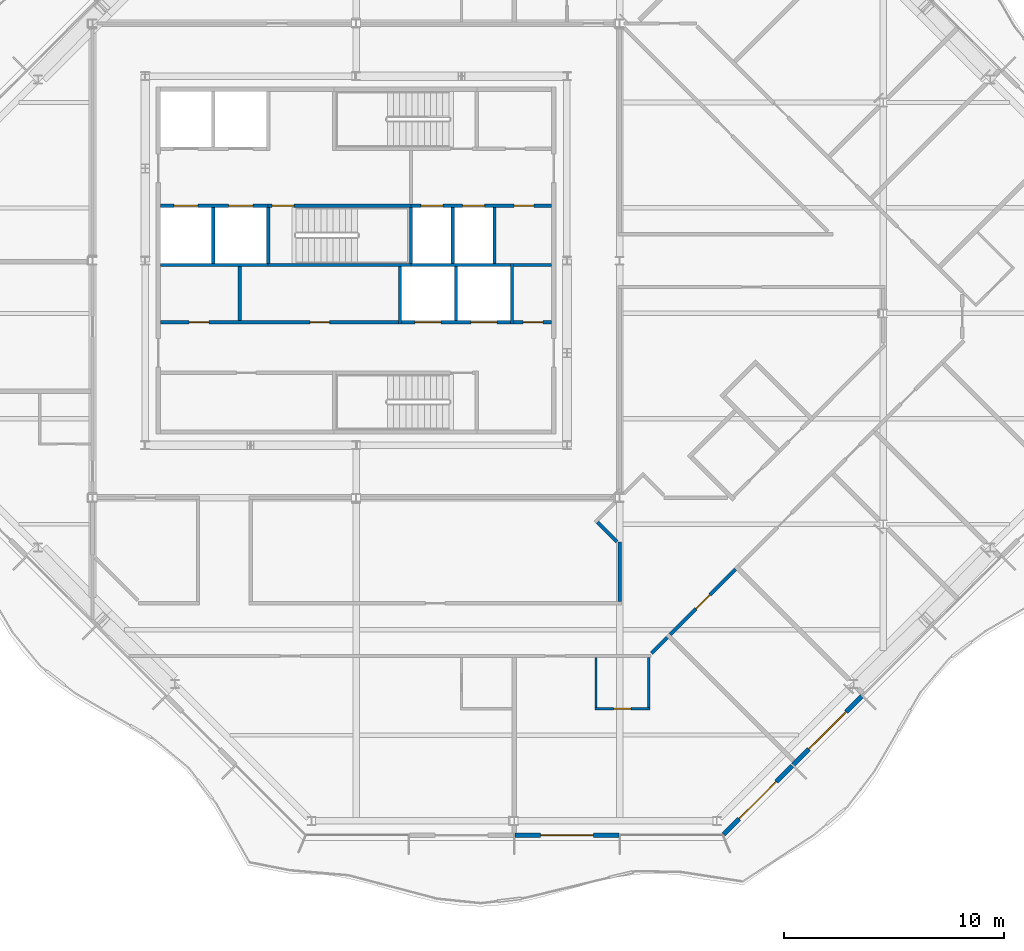
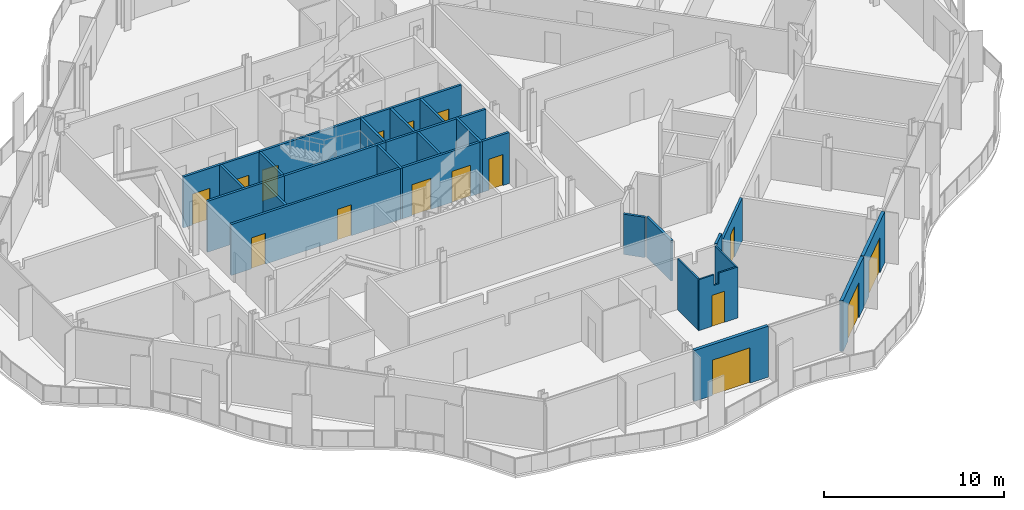
# One storey, part 8 of 17: 29 walls, 16 doors, 16 openings.
"""IFC4 building model written with IfcOpenShell, lengths in metres."""

import ifcopenshell
import ifcopenshell.guid

model = None  # the IFC model being written
_history = None  # IfcOwnerHistory: only IFC2X3 demands one
_inside = {}  # id of a spatial element -> (the spatial element, [elements in it])
_under = {}  # id of a project, library or spatial element -> (it, [spatial elements below it])
_declared = {}  # id of a project -> (the project, [libraries it declares])
_typed = {}  # id of a type object -> (the type object, [elements of that type])
_made_of = {}  # id of a material, layer set ... -> (it, [elements and type objects made of it])


def new_model(schema):
    """Start an empty IFC model of exactly this schema.

    Asked for "IFC4X3", IfcOpenShell would pick the latest addendum, in which some entities
    have other attributes; the version numbers below select the first issue.
    IFC2X3 requires an IfcOwnerHistory on every rooted entity: one is made here for all.
    """
    global model, _history
    if schema == "IFC4X3":
        model = ifcopenshell.file(schema_version=(4, 3, 0, 0))
    else:
        model = ifcopenshell.file(schema=schema)
    _inside.clear()
    _under.clear()
    _declared.clear()
    _typed.clear()
    _made_of.clear()
    _history = None
    if model.schema == "IFC2X3":
        org = make("IfcOrganization", Name="unknown")
        user = make(
            "IfcPersonAndOrganization",
            ThePerson=make("IfcPerson", FamilyName="unknown"),
            TheOrganization=org,
        )
        app = make(
            "IfcApplication",
            ApplicationDeveloper=org,
            Version="unknown",
            ApplicationFullName="unknown",
            ApplicationIdentifier="unknown",
        )
        _history = make(
            "IfcOwnerHistory",
            OwningUser=user,
            OwningApplication=app,
            ChangeAction="ADDED",
            CreationDate=0,
        )
    return model


def make(cls, **values):
    """One entity of the class cls with the attributes given. An attribute that is None is left unset."""
    return model.create_entity(
        cls, **{name: value for name, value in values.items() if value is not None}
    )


def rooted(cls, **values):
    """An entity with a GlobalId (a new one), such as an element, a storey or a relation."""
    return make(cls, GlobalId=ifcopenshell.guid.new(), OwnerHistory=_history, **values)


def si_unit(unit_type, name, prefix=None):
    """IfcSIUnit, for example si_unit("LENGTHUNIT", "METRE", prefix="MILLI")."""
    return make("IfcSIUnit", UnitType=unit_type, Prefix=prefix, Name=name)


def assignment(units):
    """IfcUnitAssignment: the units of a project."""
    return None if units is None else make("IfcUnitAssignment", Units=units)


def point(xyz):
    """IfcCartesianPoint."""
    return None if xyz is None else make("IfcCartesianPoint", Coordinates=xyz)


def direction(xyz):
    """IfcDirection."""
    return None if xyz is None else make("IfcDirection", DirectionRatios=xyz)


def frame(location, z_axis=None, x_axis=None):
    """IfcAxis2Placement3D, a coordinate frame: its origin and axes. An axis left out is left unset."""
    return make(
        "IfcAxis2Placement3D",
        Location=point(location),
        Axis=direction(z_axis),
        RefDirection=direction(x_axis),
    )


def frame_2d(location, x_axis=None):
    """IfcAxis2Placement2D, a coordinate frame in the plane: its origin and x axis."""
    return make(
        "IfcAxis2Placement2D", Location=point(location), RefDirection=direction(x_axis)
    )


def origin():
    """The frame at (0, 0, 0) with its axes left unset."""
    return frame((0.0, 0.0, 0.0))


def place(relative_to, where):
    """IfcLocalPlacement: puts the frame where relative to a parent placement (None: the world)."""
    return make(
        "IfcLocalPlacement", PlacementRelTo=relative_to, RelativePlacement=where
    )


def context(
    kind, dimensions, precision=None, world=None, true_north=None, identifier=None
):
    """IfcGeometricRepresentationContext, for example the 3D "Model" context."""
    return make(
        "IfcGeometricRepresentationContext",
        ContextIdentifier=identifier,
        ContextType=kind,
        CoordinateSpaceDimension=dimensions,
        Precision=precision,
        WorldCoordinateSystem=world,
        TrueNorth=true_north,
    )


def subcontext(parent, identifier, kind, view, scale=None):
    """IfcGeometricRepresentationSubContext, for example "Body" below "Model"."""
    return make(
        "IfcGeometricRepresentationSubContext",
        ContextIdentifier=identifier,
        ContextType=kind,
        ParentContext=parent,
        TargetScale=scale,
        TargetView=view,
    )


def project(units=None, contexts=None):
    """IfcProject with its units and contexts."""
    return rooted(
        "IfcProject",
        Name="project",
        RepresentationContexts=contexts,
        UnitsInContext=assignment(units),
    )


def spatial(cls, under=None, at=None, **own):
    """A site, building, storey or space (cls), placed at a placement, below another one or the project."""
    s = rooted(cls, ObjectPlacement=at, **own)
    if under is not None:
        _under.setdefault(under.id(), (under, []))[1].append(s)
    return s


def polyline(points):
    """IfcPolyline through the points."""
    return make("IfcPolyline", Points=[point(p) for p in points])


def profile(cls, at=None, kind="AREA", **sizes):
    """A parametric profile (cls). Its sizes go by their IFC names, for example OverallWidth=200.0."""
    return make(cls, ProfileType=kind, Position=at, **sizes)


def rectangle(**sizes):
    """IfcRectangleProfileDef."""
    return profile("IfcRectangleProfileDef", **sizes)


def outline(outer, holes=None, kind="AREA"):
    """IfcArbitraryClosedProfileDef: a profile drawn as a closed curve; with holes, ...WithVoids."""
    if holes is None:
        return make("IfcArbitraryClosedProfileDef", ProfileType=kind, OuterCurve=outer)
    return make(
        "IfcArbitraryProfileDefWithVoids",
        ProfileType=kind,
        OuterCurve=outer,
        InnerCurves=holes,
    )


def extrude(swept, where, along, depth):
    """IfcExtrudedAreaSolid: the profile swept, set in the frame where, extruded along a direction by depth."""
    return make(
        "IfcExtrudedAreaSolid",
        SweptArea=swept,
        Position=where,
        ExtrudedDirection=direction(along),
        Depth=depth,
    )


def shape(context_of_items, identifier, shape_type, items):
    """IfcShapeRepresentation: the items that make up one representation, for example the "Body"."""
    return make(
        "IfcShapeRepresentation",
        ContextOfItems=context_of_items,
        RepresentationIdentifier=identifier,
        RepresentationType=shape_type,
        Items=items,
    )


def material(Name=None, Category=None):
    """IfcMaterial."""
    return make("IfcMaterial", Name=Name, Category=Category)


def layer(
    of_material, thickness, ventilated=None, Name=None, Category=None, Priority=None
):
    """IfcMaterialLayer: one layer of a wall or slab, of a material (None: an air gap)."""
    return make(
        "IfcMaterialLayer",
        Material=of_material,
        LayerThickness=thickness,
        IsVentilated=ventilated,
        Name=Name,
        Category=Category,
        Priority=Priority,
    )


def layer_set(layers, Name=None):
    """IfcMaterialLayerSet."""
    return make("IfcMaterialLayerSet", MaterialLayers=layers, LayerSetName=Name)


def made_of(thing, what):
    """Note that an element or type object is made of a material, layer set ...; save() writes the relation."""
    if what is not None:
        _made_of.setdefault(what.id(), (what, []))[1].append(thing)
    return thing


def type_object(cls, material=None, **own):
    """A type object (cls), such as IfcWallType, which elements share."""
    return made_of(rooted(cls, **own), material)


def element(
    cls,
    number,
    at=None,
    inside=None,
    cuts=None,
    type_object=None,
    material=None,
    context=None,
    identifier="Body",
    shape_type=None,
    held_by="IfcProductDefinitionShape",
    body=None,
    shapes=None,
    **own,
):
    """One element of the class cls, such as IfcWall. Its Tag is "e" and its number.

    at: its placement. inside: the storey or other place that contains it. cuts: it is an
    opening in that element (IfcRelVoidsElement). A single representation is given by context,
    identifier, shape_type and body (its items); several are given by shapes. held_by: the class
    of the entity that holds the representations. save() writes the other relations.
    """
    e = rooted(cls, Tag="e%d" % number, ObjectPlacement=at, **own)
    if body is not None:
        shapes = [shape(context, identifier, shape_type, body)]
    if shapes is not None:
        e.Representation = make(held_by, Representations=shapes)
    if inside is not None:
        _inside.setdefault(inside.id(), (inside, []))[1].append(e)
    if cuts is not None:
        rooted(
            "IfcRelVoidsElement", RelatingBuildingElement=cuts, RelatedOpeningElement=e
        )
    if type_object is not None:
        _typed.setdefault(type_object.id(), (type_object, []))[1].append(e)
    return made_of(e, material)


def fill(opening, filler):
    """IfcRelFillsElement: the door or window that sits in an opening."""
    return rooted(
        "IfcRelFillsElement",
        RelatingOpeningElement=opening,
        RelatedBuildingElement=filler,
    )


def aggregate(whole, parts):
    """IfcRelAggregates: a whole, such as a stair, and the parts it consists of."""
    return rooted("IfcRelAggregates", RelatingObject=whole, RelatedObjects=parts)


def save(model, path):
    """Write the relations noted so far, then the file.

    IfcRelAggregates (storeys below a building ...), IfcRelContainedInSpatialStructure (elements
    in a storey), IfcRelDefinesByType, IfcRelAssociatesMaterial and IfcRelDeclares: one each for
    every whole, place, type object, material and project.
    """
    for whole, parts in _under.values():
        aggregate(whole, parts)
    for where, things in _inside.values():
        rooted(
            "IfcRelContainedInSpatialStructure",
            RelatedElements=things,
            RelatingStructure=where,
        )
    for kind, things in _typed.values():
        rooted("IfcRelDefinesByType", RelatedObjects=things, RelatingType=kind)
    for what, things in _made_of.values():
        rooted("IfcRelAssociatesMaterial", RelatedObjects=things, RelatingMaterial=what)
    for by, libraries in _declared.values():
        rooted("IfcRelDeclares", RelatingContext=by, RelatedDefinitions=libraries)
    model.write(path)


model = new_model("IFC4")

# Units and contexts
model_context = context("Model", 3, precision=1e-05, world=origin(), true_north=direction((0.0, 1.0)))
body_context = subcontext(model_context, "Body", "Model", "MODEL_VIEW")
ifc_project = project(units=[si_unit("LENGTHUNIT", "METRE"), si_unit("AREAUNIT", "SQUARE_METRE"), si_unit("VOLUMEUNIT", "CUBIC_METRE"), si_unit("PLANEANGLEUNIT", "RADIAN"), si_unit("MASSUNIT", "GRAM", prefix="KILO")], contexts=[model_context])

# Site, building, storey
site_placement = place(None, origin())
site = spatial("IfcSite", under=ifc_project, at=site_placement, CompositionType="ELEMENT")
building_placement = place(site_placement, origin())
building = spatial("IfcBuilding", under=site, at=building_placement, Name="Cairn Pilgrim Tower", CompositionType="ELEMENT")
storey_placement = place(building_placement, frame((0.0, 0.0, 243.0)))
storey = spatial("IfcBuildingStorey", under=building, at=storey_placement, Name="L62", CompositionType="ELEMENT", Elevation=243.0)

# Wall, opening, door
ifc_material_1 = material(Name="Bronze anodised aluminium insulated sandwich panel with mineral wool fill", Category="aluminium")
ifc_layer_1 = layer(ifc_material_1, 0.199951171875)
ifc_layer_set_1 = layer_set([ifc_layer_1], Name="BRONZE INFILL FRAME WALL 200")
wall_type_1 = type_object("IfcWallType", Name="BRONZE INFILL FRAME WALL 200", PredefinedType="NOTDEFINED", material=ifc_layer_set_1)
wall_1_placement = place(storey_placement, frame((14.429931640625, -23.75, 0.0), z_axis=(0.0, 0.0, 1.0), x_axis=(1.0, 0.0, 0.0)))
wall_1 = element("IfcWall", 1, at=wall_1_placement, inside=storey, type_object=wall_type_1, Name="Bronze infill frame wall IW-S3", PredefinedType="NOTDEFINED", context=body_context, shape_type="SweptSolid", body=[
    extrude(rectangle(XDim=4.739990234375, YDim=0.199951171875, at=frame_2d((2.3701171875, 0.0))), origin(), (0.0, 0.0, 1.0), 3.449951171875),
])
opening_1_placement = place(wall_1_placement, frame((1.169921875, 0.0, 0.0)))
opening_1 = element("IfcOpeningElement", 2, at=opening_1_placement, cuts=wall_1, Name="Opening 6201B", PredefinedType="OPENING", context=body_context, shape_type="SweptSolid", body=[
    extrude(rectangle(XDim=2.39990234375, YDim=2.39990234375, at=frame_2d((1.199951171875, 1.199951171875))), frame((0.0, 0.10986328125, 0.0), z_axis=(0.0, -1.0, 0.0), x_axis=(1.0, 0.0, 0.0)), (0.0, 0.0, 1.0), 0.219970703125),
])
ifc_material_2 = material(Name="Bronze anodised aluminium frame with tinted low-E glass", Category="aluminium")
door_type_1 = type_object("IfcDoorType", Name="BALCONY SLIDING DOOR 2400x2400", OperationType="DOUBLE_DOOR_SLIDING", PredefinedType="DOOR", material=ifc_material_2)
door_1_placement = place(opening_1_placement, origin())
door_1 = element("IfcDoor", 3, at=door_1_placement, inside=storey, type_object=door_type_1, Name="Balcony sliding door 6201B", OperationType="SINGLE_SWING_LEFT", OverallHeight=2.39990234375, OverallWidth=2.39990234375, PredefinedType="DOOR", context=body_context, shape_type="SweptSolid", body=[
    extrude(rectangle(XDim=2.39990234375, YDim=2.39990234375, at=frame_2d((1.199951171875, 1.199951171875))), frame((0.0, 0.02490234375, 0.0), z_axis=(0.0, -1.0, 0.0), x_axis=(1.0, 0.0, 0.0)), (0.0, 0.0, 1.0), 0.050048828125),
])
fill(opening_1, door_1)

wall_2_placement = place(storey_placement, frame((23.9248046875, -23.7216796875, 0.0), z_axis=(0.0, 0.0, 1.0), x_axis=(0.707106781187, 0.707106781187, 0.0)))
wall_2 = element("IfcWall", 4, at=wall_2_placement, inside=storey, type_object=wall_type_1, Name="Bronze infill frame wall IW-SE1", PredefinedType="NOTDEFINED", context=body_context, shape_type="SweptSolid", body=[
    extrude(rectangle(XDim=4.4208984375, YDim=0.199951171875, at=frame_2d((2.21044921875, 0.0))), origin(), (0.0, 0.0, 1.0), 3.449951171875),
])
opening_2_placement = place(wall_2_placement, frame((1.00537109375, 0.0, 0.0)))
opening_2 = element("IfcOpeningElement", 5, at=opening_2_placement, cuts=wall_2, Name="Opening 6201B2", PredefinedType="OPENING", context=body_context, shape_type="SweptSolid", body=[
    extrude(rectangle(XDim=2.39990234375, YDim=2.39990234375, at=frame_2d((1.199951171875, 1.199951171875))), frame((0.0, 0.10986328125, 0.0), z_axis=(0.0, -1.0, 0.0), x_axis=(1.0, 0.0, 0.0)), (0.0, 0.0, 1.0), 0.219970703125),
])
door_2_placement = place(opening_2_placement, origin())
door_2 = element("IfcDoor", 6, at=door_2_placement, inside=storey, type_object=door_type_1, Name="Balcony sliding door 6201B2", OperationType="SINGLE_SWING_LEFT", OverallHeight=2.39990234375, OverallWidth=2.39990234375, PredefinedType="DOOR", context=body_context, shape_type="SweptSolid", body=[
    extrude(rectangle(XDim=2.39990234375, YDim=2.39990234375, at=frame_2d((1.199951171875, 1.199951171875))), frame((0.0, 0.02490234375, 0.0), z_axis=(0.0, -1.0, 0.0), x_axis=(1.0, 0.0, 0.0)), (0.0, 0.0, 1.0), 0.050048828125),
])
fill(opening_2, door_2)

wall_3_placement = place(storey_placement, frame((27.09326171875, -20.55322265625, 0.0), z_axis=(0.0, 0.0, 1.0), x_axis=(0.707079231393, 0.707134329907, 0.0)))
wall_3 = element("IfcWall", 7, at=wall_3_placement, inside=storey, type_object=wall_type_1, Name="Bronze infill frame wall IW-SE2", PredefinedType="NOTDEFINED", context=body_context, shape_type="SweptSolid", body=[
    extrude(rectangle(XDim=4.430908203125, YDim=0.199951171875, at=frame_2d((2.21533203125, 0.0))), origin(), (0.0, 0.0, 1.0), 3.449951171875),
])
opening_3_placement = place(wall_3_placement, frame((1.015380859375, 0.0, 0.0)))
opening_3 = element("IfcOpeningElement", 8, at=opening_3_placement, cuts=wall_3, Name="Opening 6202B", PredefinedType="OPENING", context=body_context, shape_type="SweptSolid", body=[
    extrude(rectangle(XDim=2.39990234375, YDim=2.39990234375, at=frame_2d((1.199951171875, 1.199951171875))), frame((0.0, 0.10986328125, 0.0), z_axis=(0.0, -1.0, 0.0), x_axis=(1.0, 0.0, 0.0)), (0.0, 0.0, 1.0), 0.219970703125),
])
door_3_placement = place(opening_3_placement, origin())
door_3 = element("IfcDoor", 9, at=door_3_placement, inside=storey, type_object=door_type_1, Name="Balcony sliding door 6202B", OperationType="SINGLE_SWING_LEFT", OverallHeight=2.39990234375, OverallWidth=2.39990234375, PredefinedType="DOOR", context=body_context, shape_type="SweptSolid", body=[
    extrude(rectangle(XDim=2.39990234375, YDim=2.39990234375, at=frame_2d((1.199951171875, 1.199951171875))), frame((0.0, 0.02490234375, 0.0), z_axis=(0.0, -1.0, 0.0), x_axis=(1.0, 0.0, 0.0)), (0.0, 0.0, 1.0), 0.050048828125),
])
fill(opening_3, door_3)

# Wall, openings, doors
ifc_material_3 = material(Name="Concrete C32/40", Category="concrete")
ifc_layer_2 = layer(ifc_material_3, 0.14990234375)
ifc_layer_set_2 = layer_set([ifc_layer_2], Name="CORE PARTITION 150 EI 60")
wall_type_2 = type_object("IfcWallType", Name="CORE PARTITION 150 EI 60", PredefinedType="PARTITIONING", material=ifc_layer_set_2)
wall_4_placement = place(storey_placement, frame((-1.699951171875, -0.39990234375, 0.0), z_axis=(0.0, 0.0, 1.0), x_axis=(1.0, 0.0, 0.0)))
wall_4 = element("IfcWall", 10, at=wall_4_placement, inside=storey, type_object=wall_type_2, Name="CW:L62:H04", PredefinedType="PARTITIONING", context=body_context, shape_type="SweptSolid", body=[
    extrude(rectangle(XDim=10.824951171875, YDim=0.14990234375, at=frame_2d((5.41259765625, 0.0))), origin(), (0.0, 0.0, 1.0), 3.449951171875),
])
opening_4_placement = place(wall_4_placement, frame((1.300048828125, 0.0, 0.0)))
opening_4 = element("IfcOpeningElement", 11, at=opening_4_placement, cuts=wall_4, Name="Opening RD-R2W1", PredefinedType="OPENING", context=body_context, shape_type="SweptSolid", body=[
    extrude(rectangle(XDim=0.89990234375, YDim=2.10009765625, at=frame_2d((0.449951171875, 1.050048828125))), frame((0.0, 0.0849609375, 0.0), z_axis=(0.0, -1.0, 0.0), x_axis=(1.0, 0.0, 0.0)), (0.0, 0.0, 1.0), 0.169921875),
])
opening_5_placement = place(wall_4_placement, frame((6.800048828125, 0.0, 0.0)))
opening_5 = element("IfcOpeningElement", 12, at=opening_5_placement, cuts=wall_4, Name="Opening RD-R2W2", PredefinedType="OPENING", context=body_context, shape_type="SweptSolid", body=[
    extrude(rectangle(XDim=0.89990234375, YDim=2.10009765625, at=frame_2d((0.449951171875, 1.050048828125))), frame((0.0, 0.0849609375, 0.0), z_axis=(0.0, -1.0, 0.0), x_axis=(1.0, 0.0, 0.0)), (0.0, 0.0, 1.0), 0.169921875),
])
ifc_material_4 = material(Name="Painted steel", Category="steel")
door_type_2 = type_object("IfcDoorType", Name="SERVICE ROOM DOOR 900x2100", OperationType="SINGLE_SWING_LEFT", PredefinedType="DOOR", material=ifc_material_4)
door_4_placement = place(opening_4_placement, origin())
door_4 = element("IfcDoor", 13, at=door_4_placement, inside=storey, type_object=door_type_2, Name="RD-R2W1", OperationType="SINGLE_SWING_RIGHT", OverallHeight=2.10009765625, OverallWidth=0.89990234375, PredefinedType="DOOR", context=body_context, shape_type="SweptSolid", body=[
    extrude(rectangle(XDim=0.89990234375, YDim=2.10009765625, at=frame_2d((0.449951171875, 1.050048828125))), frame((0.0, 0.02490234375, 0.0), z_axis=(0.0, -1.0, 0.0), x_axis=(1.0, 0.0, 0.0)), (0.0, 0.0, 1.0), 0.050048828125),
])
fill(opening_4, door_4)
door_5_placement = place(opening_5_placement, origin())
door_5 = element("IfcDoor", 14, at=door_5_placement, inside=storey, type_object=door_type_2, Name="RD-R2W2", OperationType="SINGLE_SWING_LEFT", OverallHeight=2.10009765625, OverallWidth=0.89990234375, PredefinedType="DOOR", context=body_context, shape_type="SweptSolid", body=[
    extrude(rectangle(XDim=0.89990234375, YDim=2.10009765625, at=frame_2d((0.449951171875, 1.050048828125))), frame((0.0, 0.02490234375, 0.0), z_axis=(0.0, -1.0, 0.0), x_axis=(1.0, 0.0, 0.0)), (0.0, 0.0, 1.0), 0.050048828125),
])
fill(opening_5, door_5)

# Wall, opening, door
wall_5_placement = place(storey_placement, frame((14.375, -0.39990234375, 0.0), z_axis=(0.0, 0.0, 1.0), x_axis=(1.0, 0.0, 0.0)))
wall_5 = element("IfcWall", 15, at=wall_5_placement, inside=storey, type_object=wall_type_2, Name="CW:L62:H06", PredefinedType="PARTITIONING", context=body_context, shape_type="SweptSolid", body=[
    extrude(rectangle(XDim=1.72509765625, YDim=0.14990234375, at=frame_2d((0.862548828125, 0.0))), origin(), (0.0, 0.0, 1.0), 3.449951171875),
])
opening_6_placement = place(wall_5_placement, frame((0.425048828125, 0.0, 0.0)))
opening_6 = element("IfcOpeningElement", 16, at=opening_6_placement, cuts=wall_5, Name="Opening RD-R2E", PredefinedType="OPENING", context=body_context, shape_type="SweptSolid", body=[
    extrude(rectangle(XDim=0.89990234375, YDim=2.10009765625, at=frame_2d((0.449951171875, 1.050048828125))), frame((0.0, 0.0849609375, 0.0), z_axis=(0.0, -1.0, 0.0), x_axis=(1.0, 0.0, 0.0)), (0.0, 0.0, 1.0), 0.169921875),
])
door_6_placement = place(opening_6_placement, origin())
door_6 = element("IfcDoor", 17, at=door_6_placement, inside=storey, type_object=door_type_2, Name="RD-R2E", OperationType="SINGLE_SWING_RIGHT", OverallHeight=2.10009765625, OverallWidth=0.89990234375, PredefinedType="DOOR", context=body_context, shape_type="SweptSolid", body=[
    extrude(rectangle(XDim=0.89990234375, YDim=2.10009765625, at=frame_2d((0.449951171875, 1.050048828125))), frame((0.0, 0.02490234375, 0.0), z_axis=(0.0, -1.0, 0.0), x_axis=(1.0, 0.0, 0.0)), (0.0, 0.0, 1.0), 0.050048828125),
])
fill(opening_6, door_6)

# Walls
wall_6_placement = place(storey_placement, frame((14.375, 2.199951171875, 0.0), z_axis=(0.0, 0.0, 1.0), x_axis=(1.0, 0.0, 0.0)))
element("IfcWall", 18, at=wall_6_placement, inside=storey, type_object=wall_type_2, Name="CW:L62:H08", PredefinedType="PARTITIONING", context=body_context, shape_type="SweptSolid", body=[
    extrude(rectangle(XDim=1.72509765625, YDim=0.14990234375, at=frame_2d((0.862548828125, 0.0))), origin(), (0.0, 0.0, 1.0), 3.449951171875),
])
wall_7_placement = place(storey_placement, frame((1.89990234375, -0.324951171875, 0.0), z_axis=(0.0, 0.0, 1.0), x_axis=(0.0, 1.0, 0.0)))
element("IfcWall", 19, at=wall_7_placement, inside=storey, type_object=wall_type_2, Name="CW:L62:V16", PredefinedType="PARTITIONING", context=body_context, shape_type="SweptSolid", body=[
    extrude(rectangle(XDim=2.449951171875, YDim=0.14990234375, at=frame_2d((1.22509765625, 0.0))), origin(), (0.0, 0.0, 1.0), 3.449951171875),
])

# Wall, openings, doors
ifc_layer_3 = layer(ifc_material_3, 0.14990234375)
ifc_layer_set_3 = layer_set([ifc_layer_3], Name="CORE SHAFT WALL 150 EI 120")
wall_type_3 = type_object("IfcWallType", Name="CORE SHAFT WALL 150 EI 120", PredefinedType="SOLIDWALL", material=ifc_layer_set_3)
wall_8_placement = place(storey_placement, frame((9.27490234375, -0.39990234375, 0.0), z_axis=(0.0, 0.0, 1.0), x_axis=(1.0, 0.0, 0.0)))
wall_8 = element("IfcWall", 20, at=wall_8_placement, inside=storey, type_object=wall_type_3, Name="CW:L62:H05", PredefinedType="SOLIDWALL", context=body_context, shape_type="SweptSolid", body=[
    extrude(rectangle(XDim=4.9501953125, YDim=0.14990234375, at=frame_2d((2.47509765625, 0.0))), origin(), (0.0, 0.0, 1.0), 3.449951171875),
])
opening_7_placement = place(wall_8_placement, frame((0.60009765625, 0.0, 0.0)))
opening_7 = element("IfcOpeningElement", 21, at=opening_7_placement, cuts=wall_8, Name="Opening LD-SV1", PredefinedType="OPENING", context=body_context, shape_type="SweptSolid", body=[
    extrude(rectangle(XDim=1.199951171875, YDim=2.10009765625, at=frame_2d((0.60009765625, 1.050048828125))), frame((0.0, 0.0849609375, 0.0), z_axis=(0.0, -1.0, 0.0), x_axis=(1.0, 0.0, 0.0)), (0.0, 0.0, 1.0), 0.169921875),
])
opening_8_placement = place(wall_8_placement, frame((3.14990234375, 0.0, 0.0)))
opening_8 = element("IfcOpeningElement", 22, at=opening_8_placement, cuts=wall_8, Name="Opening LD-SV2", PredefinedType="OPENING", context=body_context, shape_type="SweptSolid", body=[
    extrude(rectangle(XDim=1.199951171875, YDim=2.10009765625, at=frame_2d((0.60009765625, 1.050048828125))), frame((0.0, 0.0849609375, 0.0), z_axis=(0.0, -1.0, 0.0), x_axis=(1.0, 0.0, 0.0)), (0.0, 0.0, 1.0), 0.169921875),
])
ifc_material_5 = material(Name="Stainless steel", Category="steel")
door_type_3 = type_object("IfcDoorType", Name="LIFT LANDING DOOR 1200x2100", OperationType="DOUBLE_DOOR_SLIDING", PredefinedType="DOOR", material=ifc_material_5)
door_7_placement = place(opening_7_placement, origin())
door_7 = element("IfcDoor", 23, at=door_7_placement, inside=storey, type_object=door_type_3, Name="LANDING DOOR SV1", OperationType="DOUBLE_DOOR_SLIDING", OverallHeight=2.10009765625, OverallWidth=1.199951171875, PredefinedType="DOOR", context=body_context, shape_type="SweptSolid", body=[
    extrude(rectangle(XDim=1.199951171875, YDim=2.10009765625, at=frame_2d((0.60009765625, 1.050048828125))), frame((0.0, 0.02490234375, 0.0), z_axis=(0.0, -1.0, 0.0), x_axis=(1.0, 0.0, 0.0)), (0.0, 0.0, 1.0), 0.050048828125),
])
fill(opening_7, door_7)
door_8_placement = place(opening_8_placement, origin())
door_8 = element("IfcDoor", 24, at=door_8_placement, inside=storey, type_object=door_type_3, Name="LANDING DOOR SV2", OperationType="DOUBLE_DOOR_SLIDING", OverallHeight=2.10009765625, OverallWidth=1.199951171875, PredefinedType="DOOR", context=body_context, shape_type="SweptSolid", body=[
    extrude(rectangle(XDim=1.199951171875, YDim=2.10009765625, at=frame_2d((0.60009765625, 1.050048828125))), frame((0.0, 0.02490234375, 0.0), z_axis=(0.0, -1.0, 0.0), x_axis=(1.0, 0.0, 0.0)), (0.0, 0.0, 1.0), 0.050048828125),
])
fill(opening_8, door_8)

# Walls
wall_9_placement = place(storey_placement, frame((-1.699951171875, 2.199951171875, 0.0), z_axis=(0.0, 0.0, 1.0), x_axis=(1.0, 0.0, 0.0)))
element("IfcWall", 25, at=wall_9_placement, inside=storey, type_object=wall_type_3, Name="CW:L62:H07-1", PredefinedType="SOLIDWALL", context=body_context, shape_type="SweptSolid", body=[
    extrude(rectangle(XDim=4.89990234375, YDim=0.14990234375, at=frame_2d((2.449951171875, 0.0))), origin(), (0.0, 0.0, 1.0), 3.449951171875),
])
wall_10_placement = place(storey_placement, frame((9.699951171875, 2.199951171875, 0.0), z_axis=(0.0, 0.0, 1.0), x_axis=(1.0, 0.0, 0.0)))
element("IfcWall", 26, at=wall_10_placement, inside=storey, type_object=wall_type_3, Name="CW:L62:H07-3", PredefinedType="SOLIDWALL", context=body_context, shape_type="SweptSolid", body=[
    extrude(rectangle(XDim=4.525146484375, YDim=0.14990234375, at=frame_2d((2.2626953125, 0.0))), origin(), (0.0, 0.0, 1.0), 3.449951171875),
])

# Wall, openings, doors
wall_11_placement = place(storey_placement, frame((-1.699951171875, 4.89990234375, 0.0), z_axis=(0.0, 0.0, 1.0), x_axis=(1.0, 0.0, 0.0)))
wall_11 = element("IfcWall", 27, at=wall_11_placement, inside=storey, type_object=wall_type_3, Name="CW:L62:H09-1", PredefinedType="SOLIDWALL", context=body_context, shape_type="SweptSolid", body=[
    extrude(rectangle(XDim=4.89990234375, YDim=0.14990234375, at=frame_2d((2.449951171875, 0.0))), origin(), (0.0, 0.0, 1.0), 3.449951171875),
])
opening_9_placement = place(wall_11_placement, frame((0.60009765625, 0.0, 0.0)))
opening_9 = element("IfcOpeningElement", 28, at=opening_9_placement, cuts=wall_11, Name="Opening LD-HR1", PredefinedType="OPENING", context=body_context, shape_type="SweptSolid", body=[
    extrude(rectangle(XDim=1.10009765625, YDim=2.10009765625, at=frame_2d((0.550048828125, 1.050048828125))), frame((0.0, 0.0849609375, 0.0), z_axis=(0.0, -1.0, 0.0), x_axis=(1.0, 0.0, 0.0)), (0.0, 0.0, 1.0), 0.169921875),
])
opening_10_placement = place(wall_11_placement, frame((3.10009765625, 0.0, 0.0)))
opening_10 = element("IfcOpeningElement", 29, at=opening_10_placement, cuts=wall_11, Name="Opening LD-HR2", PredefinedType="OPENING", context=body_context, shape_type="SweptSolid", body=[
    extrude(rectangle(XDim=1.10009765625, YDim=2.10009765625, at=frame_2d((0.550048828125, 1.050048828125))), frame((0.0, 0.0849609375, 0.0), z_axis=(0.0, -1.0, 0.0), x_axis=(1.0, 0.0, 0.0)), (0.0, 0.0, 1.0), 0.169921875),
])
door_type_4 = type_object("IfcDoorType", Name="LIFT LANDING DOOR 1100x2100", OperationType="DOUBLE_DOOR_SLIDING", PredefinedType="DOOR", material=ifc_material_5)
door_9_placement = place(opening_9_placement, origin())
door_9 = element("IfcDoor", 30, at=door_9_placement, inside=storey, type_object=door_type_4, Name="LANDING DOOR HR1", OperationType="DOUBLE_DOOR_SLIDING", OverallHeight=2.10009765625, OverallWidth=1.10009765625, PredefinedType="DOOR", context=body_context, shape_type="SweptSolid", body=[
    extrude(rectangle(XDim=1.10009765625, YDim=2.10009765625, at=frame_2d((0.550048828125, 1.050048828125))), frame((0.0, 0.02490234375, 0.0), z_axis=(0.0, -1.0, 0.0), x_axis=(1.0, 0.0, 0.0)), (0.0, 0.0, 1.0), 0.050048828125),
])
fill(opening_9, door_9)
door_10_placement = place(opening_10_placement, origin())
door_10 = element("IfcDoor", 31, at=door_10_placement, inside=storey, type_object=door_type_4, Name="LANDING DOOR HR2", OperationType="DOUBLE_DOOR_SLIDING", OverallHeight=2.10009765625, OverallWidth=1.10009765625, PredefinedType="DOOR", context=body_context, shape_type="SweptSolid", body=[
    extrude(rectangle(XDim=1.10009765625, YDim=2.10009765625, at=frame_2d((0.550048828125, 1.050048828125))), frame((0.0, 0.02490234375, 0.0), z_axis=(0.0, -1.0, 0.0), x_axis=(1.0, 0.0, 0.0)), (0.0, 0.0, 1.0), 0.050048828125),
])
fill(opening_10, door_10)

wall_12_placement = place(storey_placement, frame((9.699951171875, 4.89990234375, 0.0), z_axis=(0.0, 0.0, 1.0), x_axis=(1.0, 0.0, 0.0)))
wall_12 = element("IfcWall", 32, at=wall_12_placement, inside=storey, type_object=wall_type_3, Name="CW:L62:H09-3", PredefinedType="SOLIDWALL", context=body_context, shape_type="SweptSolid", body=[
    extrude(rectangle(XDim=6.400146484375, YDim=0.14990234375, at=frame_2d((3.2001953125, 0.0))), origin(), (0.0, 0.0, 1.0), 3.449951171875),
])
opening_11_placement = place(wall_12_placement, frame((0.449951171875, 0.0, 0.0)))
opening_11 = element("IfcOpeningElement", 33, at=opening_11_placement, cuts=wall_12, Name="Opening LD-FF1", PredefinedType="OPENING", context=body_context, shape_type="SweptSolid", body=[
    extrude(rectangle(XDim=1.0, YDim=2.10009765625, at=frame_2d((0.5, 1.050048828125))), frame((0.0, 0.0849609375, 0.0), z_axis=(0.0, -1.0, 0.0), x_axis=(1.0, 0.0, 0.0)), (0.0, 0.0, 1.0), 0.169921875),
])
opening_12_placement = place(wall_12_placement, frame((2.35009765625, 0.0, 0.0)))
opening_12 = element("IfcOpeningElement", 34, at=opening_12_placement, cuts=wall_12, Name="Opening LD-FF2", PredefinedType="OPENING", context=body_context, shape_type="SweptSolid", body=[
    extrude(rectangle(XDim=1.0, YDim=2.10009765625, at=frame_2d((0.5, 1.050048828125))), frame((0.0, 0.0849609375, 0.0), z_axis=(0.0, -1.0, 0.0), x_axis=(1.0, 0.0, 0.0)), (0.0, 0.0, 1.0), 0.169921875),
])
opening_13_placement = place(wall_12_placement, frame((4.699951171875, 0.0, 0.0)))
opening_13 = element("IfcOpeningElement", 35, at=opening_13_placement, cuts=wall_12, Name="Opening RD-R3E", PredefinedType="OPENING", context=body_context, shape_type="SweptSolid", body=[
    extrude(rectangle(XDim=0.89990234375, YDim=2.10009765625, at=frame_2d((0.449951171875, 1.050048828125))), frame((0.0, 0.0849609375, 0.0), z_axis=(0.0, -1.0, 0.0), x_axis=(1.0, 0.0, 0.0)), (0.0, 0.0, 1.0), 0.169921875),
])
door_type_5 = type_object("IfcDoorType", Name="LIFT LANDING DOOR FIRE 1000x2100", OperationType="DOUBLE_DOOR_SLIDING", PredefinedType="DOOR", material=ifc_material_5)
door_11_placement = place(opening_11_placement, origin())
door_11 = element("IfcDoor", 36, at=door_11_placement, inside=storey, type_object=door_type_5, Name="LANDING DOOR FF1", OperationType="DOUBLE_DOOR_SLIDING", OverallHeight=2.10009765625, OverallWidth=1.0, PredefinedType="DOOR", context=body_context, shape_type="SweptSolid", body=[
    extrude(rectangle(XDim=1.0, YDim=2.10009765625, at=frame_2d((0.5, 1.050048828125))), frame((0.0, 0.02490234375, 0.0), z_axis=(0.0, -1.0, 0.0), x_axis=(1.0, 0.0, 0.0)), (0.0, 0.0, 1.0), 0.050048828125),
])
fill(opening_11, door_11)
door_12_placement = place(opening_12_placement, origin())
door_12 = element("IfcDoor", 37, at=door_12_placement, inside=storey, type_object=door_type_5, Name="LANDING DOOR FF2", OperationType="DOUBLE_DOOR_SLIDING", OverallHeight=2.10009765625, OverallWidth=1.0, PredefinedType="DOOR", context=body_context, shape_type="SweptSolid", body=[
    extrude(rectangle(XDim=1.0, YDim=2.10009765625, at=frame_2d((0.5, 1.050048828125))), frame((0.0, 0.02490234375, 0.0), z_axis=(0.0, -1.0, 0.0), x_axis=(1.0, 0.0, 0.0)), (0.0, 0.0, 1.0), 0.050048828125),
])
fill(opening_12, door_12)
door_13_placement = place(opening_13_placement, origin())
door_13 = element("IfcDoor", 38, at=door_13_placement, inside=storey, type_object=door_type_2, Name="RD-R3E", OperationType="SINGLE_SWING_LEFT", OverallHeight=2.10009765625, OverallWidth=0.89990234375, PredefinedType="DOOR", context=body_context, shape_type="SweptSolid", body=[
    extrude(rectangle(XDim=0.89990234375, YDim=2.10009765625, at=frame_2d((0.449951171875, 1.050048828125))), frame((0.0, 0.02490234375, 0.0), z_axis=(0.0, -1.0, 0.0), x_axis=(1.0, 0.0, 0.0)), (0.0, 0.0, 1.0), 0.050048828125),
])
fill(opening_13, door_13)

# Walls
wall_13_placement = place(storey_placement, frame((0.699951171875, 2.27490234375, 0.0), z_axis=(0.0, 0.0, 1.0), x_axis=(0.0, 1.0, 0.0)))
element("IfcWall", 39, at=wall_13_placement, inside=storey, type_object=wall_type_3, Name="CW:L62:V14", PredefinedType="SOLIDWALL", context=body_context, shape_type="SweptSolid", body=[
    extrude(rectangle(XDim=2.550048828125, YDim=0.14990234375, at=frame_2d((1.27490234375, 0.0))), origin(), (0.0, 0.0, 1.0), 3.449951171875),
])
wall_14_placement = place(storey_placement, frame((9.199951171875, -0.47509765625, 0.0), z_axis=(0.0, 0.0, 1.0), x_axis=(0.0, 1.0, 0.0)))
element("IfcWall", 40, at=wall_14_placement, inside=storey, type_object=wall_type_3, Name="CW:L62:V21", PredefinedType="SOLIDWALL", context=body_context, shape_type="SweptSolid", body=[
    extrude(rectangle(XDim=2.60009765625, YDim=0.14990234375, at=frame_2d((1.300048828125, 0.0))), origin(), (0.0, 0.0, 1.0), 3.449951171875),
])
wall_15_placement = place(storey_placement, frame((11.60009765625, 2.27490234375, 0.0), z_axis=(0.0, 0.0, 1.0), x_axis=(0.0, 1.0, 0.0)))
element("IfcWall", 41, at=wall_15_placement, inside=storey, type_object=wall_type_3, Name="CW:L62:V24", PredefinedType="SOLIDWALL", context=body_context, shape_type="SweptSolid", body=[
    extrude(rectangle(XDim=2.550048828125, YDim=0.14990234375, at=frame_2d((1.27490234375, 0.0))), origin(), (0.0, 0.0, 1.0), 3.449951171875),
])
wall_16_placement = place(storey_placement, frame((11.75, -0.324951171875, 0.0), z_axis=(0.0, 0.0, 1.0), x_axis=(0.0, 1.0, 0.0)))
element("IfcWall", 42, at=wall_16_placement, inside=storey, type_object=wall_type_3, Name="CW:L62:V25", PredefinedType="SOLIDWALL", context=body_context, shape_type="SweptSolid", body=[
    extrude(rectangle(XDim=2.449951171875, YDim=0.14990234375, at=frame_2d((1.22509765625, 0.0))), origin(), (0.0, 0.0, 1.0), 3.449951171875),
])
wall_17_placement = place(storey_placement, frame((13.5, 2.27490234375, 0.0), z_axis=(0.0, 0.0, 1.0), x_axis=(0.0, 1.0, 0.0)))
element("IfcWall", 43, at=wall_17_placement, inside=storey, type_object=wall_type_3, Name="CW:L62:V28", PredefinedType="SOLIDWALL", context=body_context, shape_type="SweptSolid", body=[
    extrude(rectangle(XDim=2.550048828125, YDim=0.14990234375, at=frame_2d((1.27490234375, 0.0))), origin(), (0.0, 0.0, 1.0), 3.449951171875),
])
wall_18_placement = place(storey_placement, frame((14.300048828125, -0.47509765625, 0.0), z_axis=(0.0, 0.0, 1.0), x_axis=(0.0, 1.0, 0.0)))
element("IfcWall", 44, at=wall_18_placement, inside=storey, type_object=wall_type_3, Name="CW:L62:V29", PredefinedType="SOLIDWALL", context=body_context, shape_type="SweptSolid", body=[
    extrude(rectangle(XDim=2.75, YDim=0.14990234375, at=frame_2d((1.375, 0.0))), origin(), (0.0, 0.0, 1.0), 3.449951171875),
])

# Wall, opening, door
ifc_material_6 = material(Name="Gypsum partition")
ifc_layer_4 = layer(ifc_material_6, 0.10009765625)
ifc_layer_set_4 = layer_set([ifc_layer_4], Name="PARTITION 100 DRYWALL")
wall_type_4 = type_object("IfcWallType", Name="PARTITION 100 DRYWALL", PredefinedType="PARTITIONING", material=ifc_layer_set_4)
wall_19_placement = place(storey_placement, frame((18.071044921875, -18.0, 0.0), z_axis=(0.0, 0.0, 1.0), x_axis=(1.0, 0.0, 0.0)))
wall_19 = element("IfcWall", 45, at=wall_19_placement, inside=storey, type_object=wall_type_4, Name="PARTITION W005", PredefinedType="PARTITIONING", context=body_context, shape_type="SweptSolid", body=[
    extrude(outline(polyline([(0.0, 0.0), (2.5, 0.0), (2.5, 3.449951171875), (1.279052734375, 3.449951171875), (1.277099609375, 2.72998046875), (0.97900390625, 2.72998046875), (0.97705078125, 3.449951171875), (0.0, 3.449951171875), (0.0, 0.0)])), frame((0.0, 0.050048828125, 0.0), z_axis=(0.0, -1.0, 0.0), x_axis=(1.0, 0.0, 0.0)), (0.0, 0.0, 1.0), 0.10009765625),
])
opening_14_placement = place(wall_19_placement, frame((0.85009765625, 0.0, 0.0)))
opening_14 = element("IfcOpeningElement", 46, at=opening_14_placement, cuts=wall_19, Name="Opening 6201A", PredefinedType="OPENING", context=body_context, shape_type="SweptSolid", body=[
    extrude(rectangle(XDim=0.800048828125, YDim=2.10009765625, at=frame_2d((0.39990234375, 1.050048828125))), frame((0.0, 0.06005859375, 0.0), z_axis=(0.0, -1.0, 0.0), x_axis=(1.0, 0.0, 0.0)), (0.0, 0.0, 1.0), 0.1201171875),
])
ifc_material_7 = material(Name="Timber door leaf", Category="wood")
door_type_6 = type_object("IfcDoorType", Name="WC DOOR 800x2100", OperationType="NOTDEFINED", PredefinedType="DOOR", material=ifc_material_7)
door_14_placement = place(opening_14_placement, frame((0.800048828125, 0.0, 0.0), z_axis=(0.0, 0.0, 1.0), x_axis=(-1.0, 0.0, 0.0)))
door_14 = element("IfcDoor", 47, at=door_14_placement, inside=storey, type_object=door_type_6, Name="DOOR 6201A", OperationType="SINGLE_SWING_RIGHT", OverallHeight=2.10009765625, OverallWidth=0.800048828125, PredefinedType="DOOR", context=body_context, shape_type="SweptSolid", body=[
    extrude(rectangle(XDim=0.800048828125, YDim=2.10009765625, at=frame_2d((0.39990234375, 1.050048828125))), frame((0.0, 0.02490234375, 0.0), z_axis=(0.0, -1.0, 0.0), x_axis=(1.0, 0.0, 0.0)), (0.0, 0.0, 1.0), 0.050048828125),
])
fill(opening_14, door_14)

# Walls
for number, where, z_axis, x_axis, name in (
    (48, (18.12109375, -17.949951171875, 0.0), (0.0, 0.0, 1.0), (0.0, 1.0, 0.0), "PARTITION W007"),
    (49, (20.52099609375, -17.949951171875, 0.0), (0.0, 0.0, 1.0), (0.0, 1.0, 0.0), "PARTITION W008"),
):
    element("IfcWall", number, at=place(storey_placement, frame(where, z_axis=z_axis, x_axis=x_axis)), inside=storey, type_object=wall_type_4, Name=name, PredefinedType="PARTITIONING", context=body_context, shape_type="SweptSolid", body=[
        extrude(rectangle(XDim=2.27490234375, YDim=0.10009765625, at=frame_2d((1.137451171875, 0.0))), origin(), (0.0, 0.0, 1.0), 3.449951171875),
    ])
ifc_layer_5 = layer(ifc_material_6, 0.14990234375)
ifc_layer_set_5 = layer_set([ifc_layer_5], Name="PARTITION 150 DRYWALL EI 60")
wall_type_5 = type_object("IfcWallType", Name="PARTITION 150 DRYWALL EI 60", PredefinedType="PARTITIONING", material=ifc_layer_set_5)
wall_20_placement = place(storey_placement, frame((20.64892578125, -15.471923828125, 0.0), z_axis=(0.0, 0.0, 1.0), x_axis=(0.707106781187, 0.707106781187, 0.0)))
element("IfcWall", 50, at=wall_20_placement, inside=storey, type_object=wall_type_5, Name="PARTITION W012", PredefinedType="PARTITIONING", context=body_context, shape_type="SweptSolid", body=[
    extrude(rectangle(XDim=1.012939453125, YDim=0.14990234375, at=frame_2d((0.50634765625, 0.0))), origin(), (0.0, 0.0, 1.0), 3.449951171875),
])

# Wall, opening, door
wall_21_placement = place(storey_placement, frame((21.506591796875, -14.6142578125, 0.0), z_axis=(0.0, 0.0, 1.0), x_axis=(0.706990566745, 0.707222976531, 0.0)))
wall_21 = element("IfcWall", 51, at=wall_21_placement, inside=storey, type_object=wall_type_5, Name="PARTITION W013", PredefinedType="PARTITIONING", context=body_context, shape_type="SweptSolid", body=[
    extrude(rectangle(XDim=4.201904296875, YDim=0.14990234375, at=frame_2d((2.10107421875, 0.0))), origin(), (0.0, 0.0, 1.0), 2.8798828125),
])
opening_15_placement = place(wall_21_placement, frame((1.650634765625, 0.0, 0.0)))
opening_15 = element("IfcOpeningElement", 52, at=opening_15_placement, cuts=wall_21, Name="Opening 6202", PredefinedType="OPENING", context=body_context, shape_type="SweptSolid", body=[
    extrude(rectangle(XDim=0.89990234375, YDim=2.10009765625, at=frame_2d((0.449951171875, 1.050048828125))), frame((0.0, 0.0849609375, 0.0), z_axis=(0.0, -1.0, 0.0), x_axis=(1.0, 0.0, 0.0)), (0.0, 0.0, 1.0), 0.169921875),
])
door_type_7 = type_object("IfcDoorType", Name="SERVICE DOOR 900x2100 FD30S", OperationType="NOTDEFINED", PredefinedType="DOOR", material=ifc_material_7)
door_15_placement = place(opening_15_placement, frame((0.89990234375, 0.0, 0.0), z_axis=(0.0, 0.0, 1.0), x_axis=(-1.0, 0.0, 0.0)))
door_15 = element("IfcDoor", 53, at=door_15_placement, inside=storey, type_object=door_type_7, Name="DOOR 6202", OperationType="SINGLE_SWING_RIGHT", OverallHeight=2.10009765625, OverallWidth=0.89990234375, PredefinedType="DOOR", context=body_context, shape_type="SweptSolid", body=[
    extrude(rectangle(XDim=0.89990234375, YDim=2.10009765625, at=frame_2d((0.449951171875, 1.050048828125))), frame((0.0, 0.02490234375, 0.0), z_axis=(0.0, -1.0, 0.0), x_axis=(1.0, 0.0, 0.0)), (0.0, 0.0, 1.0), 0.050048828125),
])
fill(opening_15, door_15)

# Walls
wall_22_placement = place(storey_placement, frame((19.199951171875, -13.125, 0.0), z_axis=(0.0, 0.0, 1.0), x_axis=(0.0, 1.0, 0.0)))
element("IfcWall", 54, at=wall_22_placement, inside=storey, type_object=wall_type_5, Name="PARTITION W020", PredefinedType="PARTITIONING", context=body_context, shape_type="SweptSolid", body=[
    extrude(rectangle(XDim=2.7099609375, YDim=0.14990234375, at=frame_2d((1.35498046875, 0.0))), origin(), (0.0, 0.0, 1.0), 2.72998046875),
])
wall_23_placement = place(storey_placement, frame((19.072021484375, -10.39306640625, 0.0), z_axis=(0.0, 0.0, 1.0), x_axis=(-0.70740114323, 0.706812296552, 0.0)))
element("IfcWall", 55, at=wall_23_placement, inside=storey, type_object=wall_type_5, Name="PARTITION W025", PredefinedType="PARTITIONING", context=body_context, shape_type="SweptSolid", body=[
    extrude(rectangle(XDim=1.243896484375, YDim=0.14990234375, at=frame_2d((0.6220703125, 0.0))), origin(), (0.0, 0.0, 1.0), 2.72998046875),
])
ifc_material_8 = material(Name="Concrete C35/45", Category="concrete")
ifc_layer_6 = layer(ifc_material_8, 0.14990234375)
ifc_layer_set_6 = layer_set([ifc_layer_6], Name="STAIR SHAFT WALL 150 EI 120")
wall_type_6 = type_object("IfcWallType", Name="STAIR SHAFT WALL 150 EI 120", PredefinedType="SOLIDWALL", material=ifc_layer_set_6)
wall_24_placement = place(storey_placement, frame((3.199951171875, 2.199951171875, 0.0), z_axis=(0.0, 0.0, 1.0), x_axis=(1.0, 0.0, 0.0)))
element("IfcWall", 56, at=wall_24_placement, inside=storey, type_object=wall_type_6, Name="CW:L62:H07-2", PredefinedType="SOLIDWALL", context=body_context, shape_type="SweptSolid", body=[
    extrude(rectangle(XDim=6.5, YDim=0.14990234375, at=frame_2d((3.25, 0.0))), origin(), (0.0, 0.0, 1.0), 3.449951171875),
])

# Wall, opening, door
wall_25_placement = place(storey_placement, frame((3.199951171875, 4.89990234375, 0.0), z_axis=(0.0, 0.0, 1.0), x_axis=(1.0, 0.0, 0.0)))
wall_25 = element("IfcWall", 57, at=wall_25_placement, inside=storey, type_object=wall_type_6, Name="CW:L62:H09-2", PredefinedType="SOLIDWALL", context=body_context, shape_type="SweptSolid", body=[
    extrude(rectangle(XDim=6.5, YDim=0.14990234375, at=frame_2d((3.25, 0.0))), origin(), (0.0, 0.0, 1.0), 3.449951171875),
])
opening_16_placement = place(wall_25_placement, frame((0.175048828125, 0.0, 0.0)))
opening_16 = element("IfcOpeningElement", 58, at=opening_16_placement, cuts=wall_25, Name="Opening SD-B", PredefinedType="OPENING", context=body_context, shape_type="SweptSolid", body=[
    extrude(rectangle(XDim=1.0, YDim=2.10009765625, at=frame_2d((0.5, 1.050048828125))), frame((0.0, 0.0849609375, 0.0), z_axis=(0.0, -1.0, 0.0), x_axis=(1.0, 0.0, 0.0)), (0.0, 0.0, 1.0), 0.169921875),
])
door_type_8 = type_object("IfcDoorType", Name="STAIR DOOR FD60S 1000x2100", OperationType="SINGLE_SWING_LEFT", PredefinedType="DOOR", material=ifc_material_4)
door_16_placement = place(opening_16_placement, origin())
door_16 = element("IfcDoor", 59, at=door_16_placement, inside=storey, type_object=door_type_8, Name="SD-B", OperationType="SINGLE_SWING_RIGHT", OverallHeight=2.10009765625, OverallWidth=1.0, PredefinedType="DOOR", context=body_context, shape_type="SweptSolid", body=[
    extrude(rectangle(XDim=1.0, YDim=2.10009765625, at=frame_2d((0.5, 1.050048828125))), frame((0.0, 0.02490234375, 0.0), z_axis=(0.0, -1.0, 0.0), x_axis=(1.0, 0.0, 0.0)), (0.0, 0.0, 1.0), 0.050048828125),
])
fill(opening_16, door_16)

# Walls
for number, where, z_axis, x_axis, name in (
    (60, (3.199951171875, 2.27490234375, 0.0), (0.0, 0.0, 1.0), (0.0, 1.0, 0.0), "CW:L62:V17"),
    (61, (9.699951171875, 2.27490234375, 0.0), (0.0, 0.0, 1.0), (0.0, 1.0, 0.0), "CW:L62:V22"),
):
    element("IfcWall", number, at=place(storey_placement, frame(where, z_axis=z_axis, x_axis=x_axis)), inside=storey, type_object=wall_type_6, Name=name, PredefinedType="SOLIDWALL", context=body_context, shape_type="SweptSolid", body=[
        extrude(rectangle(XDim=2.550048828125, YDim=0.14990234375, at=frame_2d((1.27490234375, 0.0))), origin(), (0.0, 0.0, 1.0), 3.449951171875),
    ])

save(model, "model.ifc")
